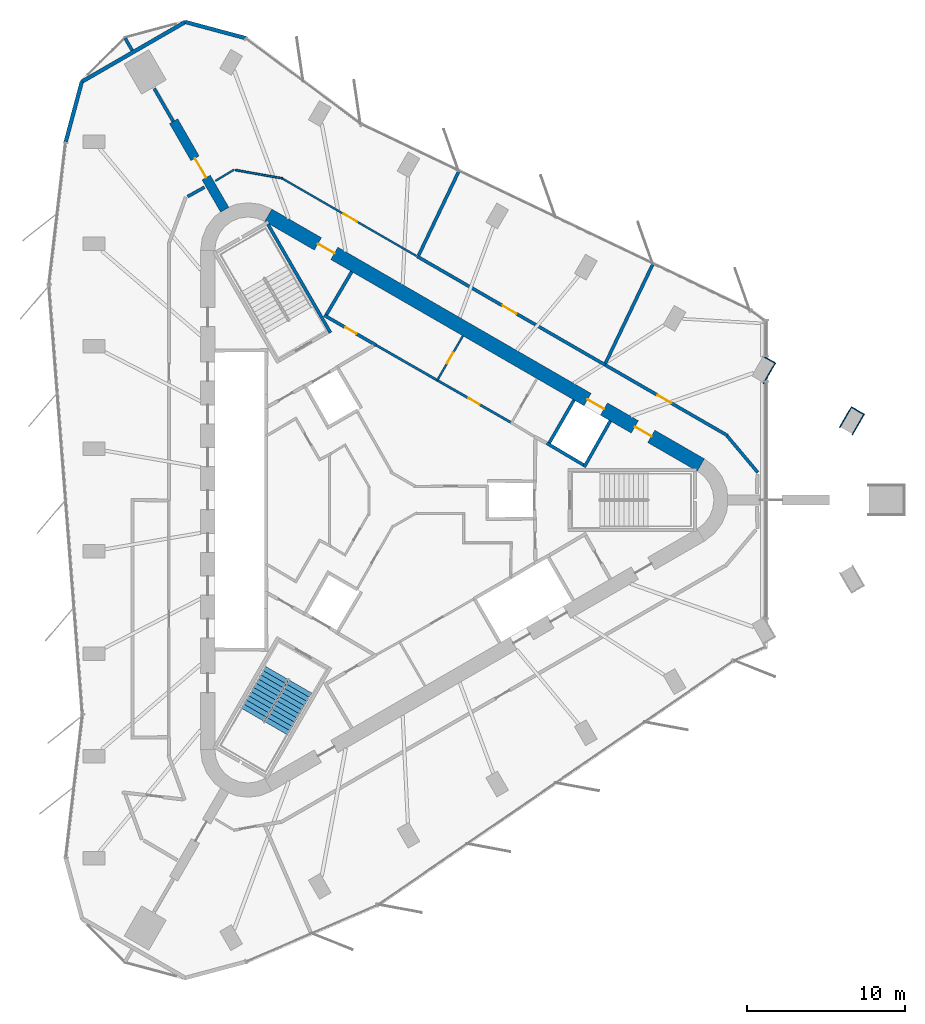
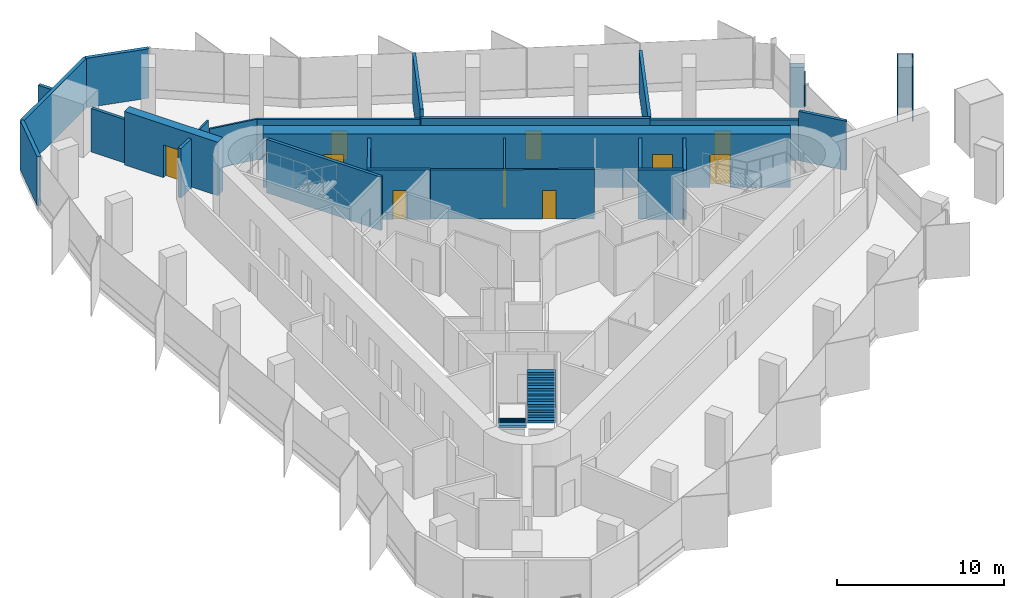
# One storey, part 10 of 12: 29 walls, 10 doors, 2 stair flights, 10 openings, 1 element without a shape of its own.
"""IFC4 building model written with IfcOpenShell, lengths in metres."""

from ifc_helpers import new_model, si_unit, direction, frame, frame_2d, origin, place, context, subcontext, project, spatial, polyline, rectangle, outline, extrude, material, layer, layer_set, type_object, element, fill, aggregate, save


model = new_model("IFC4")

# Units and contexts
model_context = context("Model", 3, precision=1e-05, world=origin(), true_north=direction((0.0, 1.0)))
body_context = subcontext(model_context, "Body", "Model", "MODEL_VIEW")
ifc_project = project(units=[si_unit("LENGTHUNIT", "METRE"), si_unit("AREAUNIT", "SQUARE_METRE"), si_unit("VOLUMEUNIT", "CUBIC_METRE"), si_unit("PLANEANGLEUNIT", "RADIAN"), si_unit("MASSUNIT", "GRAM", prefix="KILO")], contexts=[model_context])

# Site, building, storey
site_placement = place(None, origin())
site = spatial("IfcSite", under=ifc_project, at=site_placement, CompositionType="ELEMENT")
building_placement = place(site_placement, origin())
building = spatial("IfcBuilding", under=site, at=building_placement, Name="Tanit Gate Tower", CompositionType="ELEMENT")
storey_placement = place(building_placement, frame((0.0, 0.0, 384.5)))
storey = spatial("IfcBuildingStorey", under=building, at=storey_placement, Name="L88", CompositionType="ELEMENT", Elevation=384.5)

# Wall, opening, door
ifc_material_1 = material(Name="Concrete C40/50", Category="concrete")
ifc_layer_1 = layer(ifc_material_1, 0.60009765625)
ifc_layer_set_1 = layer_set([ifc_layer_1], Name="BUTTRESS FIN 600 C40/50")
wall_type_1 = type_object("IfcWallType", Name="BUTTRESS FIN 600 C40/50", PredefinedType="SHEAR", material=ifc_layer_set_1)
wall_1_placement = place(storey_placement, frame((-10.574951171875, 18.31640625, 0.0), z_axis=(0.0, 0.0, 1.0), x_axis=(-0.500011655475, 0.866018674388, 0.0)))
wall_1 = element("IfcWall", 1, at=wall_1_placement, inside=storey, type_object=wall_type_1, Name="BUTTRESS FIN", PredefinedType="SHEAR", context=body_context, shape_type="SweptSolid", body=[
    extrude(rectangle(XDim=6.454833984375, YDim=0.60009765625, at=frame_2d((3.2275390625, 0.0))), origin(), (0.0, 0.0, 1.0), 3.89990234375),
])
opening_1_placement = place(wall_1_placement, frame((2.35009765625, 0.0, 0.0)))
opening_1 = element("IfcOpeningElement", 2, at=opening_1_placement, cuts=wall_1, Name="Opening P14-88-F-NW-1", PredefinedType="OPENING", context=body_context, shape_type="SweptSolid", body=[
    extrude(rectangle(XDim=1.39990234375, YDim=2.39990234375, at=frame_2d((0.699951171875, 1.199951171875))), frame((0.0, 0.31005859375, 0.0), z_axis=(0.0, -1.0, 0.0), x_axis=(1.0, 0.0, 0.0)), (0.0, 0.0, 1.0), 0.6201171875),
])
ifc_material_2 = material(Name="Timber door leaf", Category="wood")
door_type_1 = type_object("IfcDoorType", Name="INT-DOOR-FIN-PAIR-1400", OperationType="NOTDEFINED", PredefinedType="NOTDEFINED", material=ifc_material_2)
door_1_placement = place(opening_1_placement, origin())
door_1 = element("IfcDoor", 3, at=door_1_placement, inside=storey, type_object=door_type_1, Name="Door P14-88-F-NW-1", OperationType="DOUBLE_DOOR_SINGLE_SWING", OverallHeight=2.39990234375, OverallWidth=1.39990234375, PredefinedType="NOTDEFINED", context=body_context, shape_type="SweptSolid", body=[
    extrude(rectangle(XDim=1.39990234375, YDim=2.39990234375, at=frame_2d((0.699951171875, 1.199951171875))), frame((0.0, 0.02490234375, 0.0), z_axis=(0.0, -1.0, 0.0), x_axis=(1.0, 0.0, 0.0)), (0.0, 0.0, 1.0), 0.050048828125),
])
fill(opening_1, door_1)

# Wall, openings, doors
ifc_material_3 = material(Name="Concrete C40/50", Category="concrete")
ifc_layer_2 = layer(ifc_material_3, 0.89990234375)
ifc_layer_set_2 = layer_set([ifc_layer_2], Name="CORE WALL 900 C40/50")
wall_type_2 = type_object("IfcWallType", Name="CORE WALL 900 C40/50", PredefinedType="SHEAR", material=ifc_layer_set_2)
wall_2_placement = place(storey_placement, frame((19.47509765625, 2.20849609375, 0.0), z_axis=(0.0, 0.0, 1.0), x_axis=(-0.866028369851, 0.499994862586, 0.0)))
wall_2 = element("IfcWall", 4, at=wall_2_placement, inside=storey, type_object=wall_type_2, Name="CORE WALL", PredefinedType="SHEAR", context=body_context, shape_type="SweptSolid", body=[
    extrude(rectangle(XDim=31.523193359375, YDim=0.89990234375, at=frame_2d((15.76171875, 0.0))), origin(), (0.0, 0.0, 1.0), 3.89990234375),
])
opening_2_placement = place(wall_2_placement, frame((7.0615234375, 0.0, 0.0)))
opening_2 = element("IfcOpeningElement", 5, at=opening_2_placement, cuts=wall_2, Name="Opening LDHL8-88", PredefinedType="OPENING", context=body_context, shape_type="SweptSolid", body=[
    extrude(rectangle(XDim=1.199951171875, YDim=2.39990234375, at=frame_2d((0.60009765625, 1.199951171875))), frame((0.0, 0.4599609375, 0.0), z_axis=(0.0, -1.0, 0.0), x_axis=(1.0, 0.0, 0.0)), (0.0, 0.0, 1.0), 0.919921875),
])
opening_3_placement = place(wall_2_placement, frame((3.611572265625, 0.0, 0.0)))
opening_3 = element("IfcOpeningElement", 6, at=opening_3_placement, cuts=wall_2, Name="Opening F12-88-FL1", PredefinedType="OPENING", context=body_context, shape_type="SweptSolid", body=[
    extrude(rectangle(XDim=1.199951171875, YDim=2.39990234375, at=frame_2d((0.60009765625, 1.199951171875))), frame((0.0, 0.4599609375, 0.0), z_axis=(0.0, -1.0, 0.0), x_axis=(1.0, 0.0, 0.0)), (0.0, 0.0, 1.0), 0.919921875),
])
opening_4_placement = place(wall_2_placement, frame((26.711669921875, 0.0, 0.0)))
opening_4 = element("IfcOpeningElement", 7, at=opening_4_placement, cuts=wall_2, Name="Opening F12-88-S2", PredefinedType="OPENING", context=body_context, shape_type="SweptSolid", body=[
    extrude(rectangle(XDim=1.199951171875, YDim=2.39990234375, at=frame_2d((0.60009765625, 1.199951171875))), frame((0.0, 0.4599609375, 0.0), z_axis=(0.0, -1.0, 0.0), x_axis=(1.0, 0.0, 0.0)), (0.0, 0.0, 1.0), 0.919921875),
])
ifc_material_4 = material(Name="Fire-rated steel door leaf", Category="steel")
door_type_2 = type_object("IfcDoorType", Name="INT-DOOR-FIRE-LOBBY-1200", OperationType="NOTDEFINED", PredefinedType="USERDEFINED", material=ifc_material_4)
door_2_placement = place(opening_3_placement, origin())
door_2 = element("IfcDoor", 8, at=door_2_placement, inside=storey, type_object=door_type_2, Name="Door F12-88-FL1", ObjectType="FIRE DOOR", OperationType="SINGLE_SWING_LEFT", OverallHeight=2.39990234375, OverallWidth=1.199951171875, PredefinedType="USERDEFINED", context=body_context, shape_type="SweptSolid", body=[
    extrude(rectangle(XDim=1.199951171875, YDim=2.39990234375, at=frame_2d((0.60009765625, 1.199951171875))), frame((0.0, 0.02490234375, 0.0), z_axis=(0.0, -1.0, 0.0), x_axis=(1.0, 0.0, 0.0)), (0.0, 0.0, 1.0), 0.050048828125),
])
fill(opening_3, door_2)
door_3_placement = place(opening_4_placement, origin())
door_3 = element("IfcDoor", 9, at=door_3_placement, inside=storey, type_object=door_type_2, Name="Door F12-88-S2", ObjectType="FIRE DOOR", OperationType="SINGLE_SWING_LEFT", OverallHeight=2.39990234375, OverallWidth=1.199951171875, PredefinedType="USERDEFINED", context=body_context, shape_type="SweptSolid", body=[
    extrude(rectangle(XDim=1.199951171875, YDim=2.39990234375, at=frame_2d((0.60009765625, 1.199951171875))), frame((0.0, 0.02490234375, 0.0), z_axis=(0.0, -1.0, 0.0), x_axis=(1.0, 0.0, 0.0)), (0.0, 0.0, 1.0), 0.050048828125),
])
fill(opening_4, door_3)
ifc_material_5 = material(Name="Stainless steel sliding door leaf", Category="steel")
door_type_3 = type_object("IfcDoorType", Name="INT-DOOR-LANDING-1200", OperationType="NOTDEFINED", PredefinedType="USERDEFINED", material=ifc_material_5)
door_4_placement = place(opening_2_placement, origin())
door_4 = element("IfcDoor", 10, at=door_4_placement, inside=storey, type_object=door_type_3, Name="Door LDHL8-88", ObjectType="LANDING DOOR", OperationType="SLIDING_TO_LEFT", OverallHeight=2.39990234375, OverallWidth=1.199951171875, PredefinedType="USERDEFINED", context=body_context, shape_type="SweptSolid", body=[
    extrude(rectangle(XDim=1.199951171875, YDim=2.39990234375, at=frame_2d((0.60009765625, 1.199951171875))), frame((0.0, 0.02490234375, 0.0), z_axis=(0.0, -1.0, 0.0), x_axis=(1.0, 0.0, 0.0)), (0.0, 0.0, 1.0), 0.050048828125),
])
fill(opening_2, door_4)

# Walls
ifc_material_6 = material(Name="Bronze anodised aluminium cladding", Category="aluminium")
ifc_layer_3 = layer(ifc_material_6, 0.06005859375)
ifc_layer_set_3 = layer_set([ifc_layer_3], Name="Column casing bronze 60")
wall_type_3 = type_object("IfcWallType", Name="Column casing bronze 60", PredefinedType="SOLIDWALL", material=ifc_layer_set_3)
for number, where, z_axis, x_axis, name in (
    (11, (28.235595703125, 4.568115234375, 0.0), (0.0, 0.0, 1.0), (0.499991248344, 0.866030456496, 0.0), "Column casing L88 P-NE1.L1"),
    (12, (29.023681640625, 4.11328125, 0.0), (0.0, 0.0, 1.0), (0.499991248344, 0.866030456496, 0.0), "Column casing L88 P-NE1.L2"),
):
    element("IfcWall", number, at=place(storey_placement, frame(where, z_axis=z_axis, x_axis=x_axis)), inside=storey, type_object=wall_type_3, Name=name, PredefinedType="SOLIDWALL", context=body_context, shape_type="SweptSolid", body=[
        extrude(rectangle(XDim=1.52001953125, YDim=0.06005859375, at=frame_2d((0.760009765625, 0.0))), origin(), (0.0, 0.0, 1.0), 3.89990234375),
    ])
wall_3_placement = place(storey_placement, frame((29.74267578125, 5.418701171875, 0.0), z_axis=(0.0, 0.0, 1.0), x_axis=(-0.866113839764, 0.499846793097, 0.0)))
element("IfcWall", 13, at=wall_3_placement, inside=storey, type_object=wall_type_3, Name="Column casing L88 P-NE1.S1", PredefinedType="SOLIDWALL", context=body_context, shape_type="SweptSolid", body=[
    extrude(rectangle(XDim=0.849853515625, YDim=0.06005859375, at=frame_2d((0.4248046875, 0.0))), origin(), (0.0, 0.0, 1.0), 3.89990234375),
])
wall_4_placement = place(storey_placement, frame((23.42578125, 7.34521484375, 1.10009765625), z_axis=(0.0, 0.0, 1.0), x_axis=(0.499991248344, 0.866030456496, 0.0)))
element("IfcWall", 14, at=wall_4_placement, inside=storey, type_object=wall_type_3, Name="Column casing L88 P-NE2.L2", PredefinedType="SOLIDWALL", context=body_context, shape_type="SweptSolid", body=[
    extrude(rectangle(XDim=1.52001953125, YDim=0.06005859375, at=frame_2d((0.760009765625, 0.0))), origin(), (0.0, 0.0, 1.0), 1.510009765625),
])
wall_5_placement = place(storey_placement, frame((24.144775390625, 8.650390625, 0.0), z_axis=(0.0, 0.0, 1.0), x_axis=(-0.865989465428, 0.500062241894, 0.0)))
element("IfcWall", 15, at=wall_5_placement, inside=storey, type_object=wall_type_3, Name="Column casing L88 P-NE2.S1", PredefinedType="SOLIDWALL", context=body_context, shape_type="SweptSolid", body=[
    extrude(rectangle(XDim=0.85009765625, YDim=0.06005859375, at=frame_2d((0.425048828125, 0.0))), origin(), (0.0, 0.0, 1.0), 3.2099609375),
])
ifc_material_7 = material(Name="Concrete C30/37 with bronze anodised aluminium cladding", Category="concrete")
ifc_layer_4 = layer(ifc_material_7, 0.239990234375)
ifc_layer_set_4 = layer_set([ifc_layer_4], Name="Facade wall bronze clad 240")
wall_type_4 = type_object("IfcWallType", Name="Facade wall bronze clad 240", PredefinedType="SOLIDWALL", material=ifc_layer_set_4)
wall_6_placement = place(storey_placement, frame((-9.27880859375, 29.157958984375, 0.0), z_axis=(0.0, 0.0, 1.0), x_axis=(-0.965923842933, 0.258826446974, 0.0)))
element("IfcWall", 16, at=wall_6_placement, inside=storey, type_object=wall_type_4, Name="Bronze-clad facade wall L88 NW.arc1", PredefinedType="SOLIDWALL", context=body_context, shape_type="SweptSolid", body=[
    extrude(rectangle(XDim=3.91650390625, YDim=0.239990234375, at=frame_2d((1.958251953125, 0.0))), origin(), (0.0, 0.0, 1.0), 3.60009765625),
])
wall_7_placement = place(storey_placement, frame((-13.061767578125, 30.171630859375, 0.0), z_axis=(0.0, 0.0, 1.0), x_axis=(-0.86602506914, -0.500000579621, 0.0)))
element("IfcWall", 17, at=wall_7_placement, inside=storey, type_object=wall_type_4, Name="Bronze-clad facade wall L88 NW.arc2", PredefinedType="SOLIDWALL", context=body_context, shape_type="SweptSolid", body=[
    extrude(rectangle(XDim=7.5478515625, YDim=0.239990234375, at=frame_2d((3.77392578125, 0.0))), origin(), (0.0, 0.0, 1.0), 3.60009765625),
])
wall_8_placement = place(storey_placement, frame((-19.598388671875, 26.397705078125, 0.0), z_axis=(0.0, 0.0, 1.0), x_axis=(-0.258826121588, -0.965923930123, 0.0)))
element("IfcWall", 18, at=wall_8_placement, inside=storey, type_object=wall_type_4, Name="Bronze-clad facade wall L88 NW.arc3", PredefinedType="SOLIDWALL", context=body_context, shape_type="SweptSolid", body=[
    extrude(rectangle(XDim=3.9306640625, YDim=0.239990234375, at=frame_2d((1.96533203125, 0.0))), origin(), (0.0, 0.0, 1.0), 3.60009765625),
])

# Wall, opening, door
ifc_material_8 = material(Name="Fire-rated gypsum board partition")
ifc_layer_5 = layer(ifc_material_8, 0.199951171875)
ifc_layer_set_5 = layer_set([ifc_layer_5], Name="INT-WALL-COMPARTMENT")
wall_type_5 = type_object("IfcWallType", Name="INT-WALL-COMPARTMENT", PredefinedType="PARTITIONING", material=ifc_layer_set_5)
wall_9_placement = place(storey_placement, frame((-4.295654296875, 11.659912109375, 0.0), z_axis=(0.0, 0.0, 1.0), x_axis=(0.866027389382, -0.499996560828, 0.0)))
wall_9 = element("IfcWall", 19, at=wall_9_placement, inside=storey, type_object=wall_type_5, Name="Wall Compartment W052", PredefinedType="PARTITIONING", context=body_context, shape_type="SweptSolid", body=[
    extrude(rectangle(XDim=3.77783203125, YDim=0.199951171875, at=frame_2d((1.888916015625, 0.0))), origin(), (0.0, 0.0, 1.0), 3.60009765625),
])
opening_5_placement = place(wall_9_placement, frame((1.538818359375, 0.0, 0.0)))
opening_5 = element("IfcOpeningElement", 20, at=opening_5_placement, cuts=wall_9, Name="Opening R08-88-16", PredefinedType="OPENING", context=body_context, shape_type="SweptSolid", body=[
    extrude(rectangle(XDim=0.800048828125, YDim=2.10009765625, at=frame_2d((0.39990234375, 1.050048828125))), frame((0.0, 0.10986328125, 0.0), z_axis=(0.0, -1.0, 0.0), x_axis=(1.0, 0.0, 0.0)), (0.0, 0.0, 1.0), 0.219970703125),
])
ifc_material_9 = material(Name="Timber door leaf", Category="wood")
door_type_4 = type_object("IfcDoorType", Name="INT-DOOR-RISER-800", OperationType="NOTDEFINED", PredefinedType="USERDEFINED", material=ifc_material_9)
door_5_placement = place(opening_5_placement, origin())
door_5 = element("IfcDoor", 21, at=door_5_placement, inside=storey, type_object=door_type_4, Name="Door R08-88-16", ObjectType="FIRE DOOR", OperationType="SINGLE_SWING_LEFT", OverallHeight=2.10009765625, OverallWidth=0.800048828125, PredefinedType="USERDEFINED", context=body_context, shape_type="SweptSolid", body=[
    extrude(rectangle(XDim=0.800048828125, YDim=2.10009765625, at=frame_2d((0.39990234375, 1.050048828125))), frame((0.0, 0.02490234375, 0.0), z_axis=(0.0, -1.0, 0.0), x_axis=(1.0, 0.0, 0.0)), (0.0, 0.0, 1.0), 0.050048828125),
])
fill(opening_5, door_5)

# Walls
wall_10_placement = place(storey_placement, frame((-2.557861328125, 14.409423828125, 0.0), z_axis=(0.0, 0.0, 1.0), x_axis=(-0.508018930956, -0.861345903683, 0.0)))
element("IfcWall", 22, at=wall_10_placement, inside=storey, type_object=wall_type_5, Name="Wall Compartment W053", PredefinedType="PARTITIONING", context=body_context, shape_type="SweptSolid", body=[
    extrude(rectangle(XDim=3.150146484375, YDim=0.199951171875, at=frame_2d((1.5751953125, 0.0))), origin(), (0.0, 0.0, 1.0), 3.60009765625),
])
wall_11_placement = place(storey_placement, frame((-11.85791015625, 19.738525390625, 0.0), z_axis=(0.0, 0.0, 1.0), x_axis=(-0.874375812865, -0.48524935639, 0.0)))
element("IfcWall", 23, at=wall_11_placement, inside=storey, type_object=wall_type_5, Name="Wall Compartment W094", PredefinedType="PARTITIONING", context=body_context, shape_type="SweptSolid", body=[
    extrude(rectangle(XDim=1.21142578125, YDim=0.199951171875, at=frame_2d((0.605712890625, 0.0))), origin(), (0.0, 0.0, 1.0), 3.60009765625),
])
wall_12_placement = place(storey_placement, frame((-13.828369140625, 23.8916015625, 0.0), z_axis=(0.0, 0.0, 1.0), x_axis=(-0.500037706602, 0.866003632773, 0.0)))
element("IfcWall", 24, at=wall_12_placement, inside=storey, type_object=wall_type_5, Name="Wall Compartment W102", PredefinedType="PARTITIONING", context=body_context, shape_type="SweptSolid", body=[
    extrude(rectangle(XDim=2.390869140625, YDim=0.199951171875, at=frame_2d((1.1953125, 0.0))), origin(), (0.0, 0.0, 1.0), 3.169921875),
])
wall_13_placement = place(storey_placement, frame((-16.416015625, 28.37353515625, 0.0), z_axis=(0.0, 0.0, 1.0), x_axis=(-0.500033502416, 0.866006060292, 0.0)))
element("IfcWall", 25, at=wall_13_placement, inside=storey, type_object=wall_type_5, Name="Wall Compartment W101", PredefinedType="PARTITIONING", context=body_context, shape_type="SweptSolid", body=[
    extrude(rectangle(XDim=0.88330078125, YDim=0.199951171875, at=frame_2d((0.441650390625, 0.0))), origin(), (0.0, 0.0, 1.0), 3.60009765625),
])

# Wall, opening, door
wall_14_placement = place(storey_placement, frame((21.16064453125, 4.064208984375, 0.0), z_axis=(0.0, 0.0, 1.0), x_axis=(-0.866029338347, 0.499993185076, 0.0)))
wall_14 = element("IfcWall", 26, at=wall_14_placement, inside=storey, type_object=wall_type_5, Name="Wall Compartment W105", PredefinedType="PARTITIONING", context=body_context, shape_type="SweptSolid", body=[
    extrude(rectangle(XDim=8.9248046875, YDim=0.199951171875, at=frame_2d((4.46240234375, 0.0))), origin(), (0.0, 0.0, 1.0), 2.969970703125),
])
opening_6_placement = place(wall_14_placement, frame((4.10009765625, 0.0, 0.0)))
opening_6 = element("IfcOpeningElement", 27, at=opening_6_placement, cuts=wall_14, Name="Opening F10-88-23", PredefinedType="OPENING", context=body_context, shape_type="SweptSolid", body=[
    extrude(rectangle(XDim=1.0, YDim=2.10009765625, at=frame_2d((0.5, 1.050048828125))), frame((0.0, 0.10986328125, 0.0), z_axis=(0.0, -1.0, 0.0), x_axis=(1.0, 0.0, 0.0)), (0.0, 0.0, 1.0), 0.219970703125),
])
ifc_material_10 = material(Name="Fire-rated steel door leaf", Category="steel")
door_type_5 = type_object("IfcDoorType", Name="INT-DOOR-FIRE-1000", OperationType="NOTDEFINED", PredefinedType="USERDEFINED", material=ifc_material_10)
door_6_placement = place(opening_6_placement, origin())
door_6 = element("IfcDoor", 28, at=door_6_placement, inside=storey, type_object=door_type_5, Name="Door F10-88-23", ObjectType="FIRE DOOR", OperationType="SINGLE_SWING_LEFT", OverallHeight=2.10009765625, OverallWidth=1.0, PredefinedType="USERDEFINED", context=body_context, shape_type="SweptSolid", body=[
    extrude(rectangle(XDim=1.0, YDim=2.10009765625, at=frame_2d((0.5, 1.050048828125))), frame((0.0, 0.02490234375, 0.0), z_axis=(0.0, -1.0, 0.0), x_axis=(1.0, 0.0, 0.0)), (0.0, 0.0, 1.0), 0.050048828125),
])
fill(opening_6, door_6)

wall_15_placement = place(storey_placement, frame((13.431396484375, 8.526611328125, 0.0), z_axis=(0.0, 0.0, 1.0), x_axis=(-0.866019409031, 0.500010383074, 0.0)))
wall_15 = element("IfcWall", 29, at=wall_15_placement, inside=storey, type_object=wall_type_5, Name="Wall Compartment W108", PredefinedType="PARTITIONING", context=body_context, shape_type="SweptSolid", body=[
    extrude(rectangle(XDim=13.700927734375, YDim=0.199951171875, at=frame_2d((6.8505859375, 0.0))), origin(), (0.0, 0.0, 1.0), 3.070068359375),
])
opening_7_placement = place(wall_15_placement, frame((6.456298828125, 0.0, 0.0)))
opening_7 = element("IfcOpeningElement", 30, at=opening_7_placement, cuts=wall_15, Name="Opening F10-88-24", PredefinedType="OPENING", context=body_context, shape_type="SweptSolid", body=[
    extrude(rectangle(XDim=1.0, YDim=2.10009765625, at=frame_2d((0.5, 1.050048828125))), frame((0.0, 0.10986328125, 0.0), z_axis=(0.0, -1.0, 0.0), x_axis=(1.0, 0.0, 0.0)), (0.0, 0.0, 1.0), 0.219970703125),
])
door_7_placement = place(opening_7_placement, origin())
door_7 = element("IfcDoor", 31, at=door_7_placement, inside=storey, type_object=door_type_5, Name="Door F10-88-24", ObjectType="FIRE DOOR", OperationType="SINGLE_SWING_LEFT", OverallHeight=2.10009765625, OverallWidth=1.0, PredefinedType="USERDEFINED", context=body_context, shape_type="SweptSolid", body=[
    extrude(rectangle(XDim=1.0, YDim=2.10009765625, at=frame_2d((0.5, 1.050048828125))), frame((0.0, 0.02490234375, 0.0), z_axis=(0.0, -1.0, 0.0), x_axis=(1.0, 0.0, 0.0)), (0.0, 0.0, 1.0), 0.050048828125),
])
fill(opening_7, door_7)

# Walls
wall_16_placement = place(storey_placement, frame((23.0703125, 1.7353515625, 0.0), z_axis=(0.0, 0.0, 1.0), x_axis=(-0.642801456619, 0.76603282395, 0.0)))
element("IfcWall", 32, at=wall_16_placement, inside=storey, type_object=wall_type_5, Name="Wall Compartment W106", PredefinedType="PARTITIONING", context=body_context, shape_type="SweptSolid", body=[
    extrude(rectangle(XDim=3.00537109375, YDim=0.199951171875, at=frame_2d((1.502685546875, 0.0))), origin(), (0.0, 0.0, 1.0), 3.60009765625),
])
wall_17_placement = place(storey_placement, frame((13.453857421875, 8.629150390625, 0.0), z_axis=(0.0, 0.0, 1.0), x_axis=(0.431088346121, 0.902309723897, 0.0)))
element("IfcWall", 33, at=wall_17_placement, inside=storey, type_object=wall_type_5, Name="Wall Compartment W112", PredefinedType="PARTITIONING", context=body_context, shape_type="SweptSolid", body=[
    extrude(rectangle(XDim=6.96533203125, YDim=0.199951171875, at=frame_2d((3.482666015625, 0.0))), origin(), (0.0, 0.0, 1.0), 3.070068359375),
])
wall_18_placement = place(storey_placement, frame((1.661376953125, 15.4375, 0.0), z_axis=(0.0, 0.0, 1.0), x_axis=(0.431067801422, 0.902319539065, 0.0)))
element("IfcWall", 34, at=wall_18_placement, inside=storey, type_object=wall_type_5, Name="Wall Compartment W113", PredefinedType="PARTITIONING", context=body_context, shape_type="SweptSolid", body=[
    extrude(rectangle(XDim=5.905517578125, YDim=0.199951171875, at=frame_2d((2.95263671875, 0.0))), origin(), (0.0, 0.0, 1.0), 3.60009765625),
])

# Wall, opening, door
ifc_material_11 = material(Name="Gypsum board partition")
ifc_layer_6 = layer(ifc_material_11, 0.1201171875)
ifc_layer_set_6 = layer_set([ifc_layer_6], Name="INT-WALL-PARTITION")
wall_type_6 = type_object("IfcWallType", Name="INT-WALL-PARTITION", PredefinedType="PARTITIONING", material=ifc_layer_set_6)
wall_19_placement = place(storey_placement, frame((2.831787109375, 7.544921875, 0.0), z_axis=(0.0, 0.0, 1.0), x_axis=(0.500017246033, 0.866015446554, 0.0)))
wall_19 = element("IfcWall", 35, at=wall_19_placement, inside=storey, type_object=wall_type_6, Name="Wall Partition W050", PredefinedType="PARTITIONING", context=body_context, shape_type="SweptSolid", body=[
    extrude(rectangle(XDim=3.25, YDim=0.1201171875, at=frame_2d((1.625, 0.0))), origin(), (0.0, 0.0, 1.0), 3.60009765625),
])
opening_8_placement = place(wall_19_placement, frame((1.22509765625, 0.0, 0.0)))
opening_8 = element("IfcOpeningElement", 36, at=opening_8_placement, cuts=wall_19, Name="Opening R08-88-15", PredefinedType="OPENING", context=body_context, shape_type="SweptSolid", body=[
    extrude(rectangle(XDim=0.800048828125, YDim=2.10009765625, at=frame_2d((0.39990234375, 1.050048828125))), frame((0.0, 0.070068359375, 0.0), z_axis=(0.0, -1.0, 0.0), x_axis=(1.0, 0.0, 0.0)), (0.0, 0.0, 1.0), 0.14013671875),
])
door_8_placement = place(opening_8_placement, origin())
door_8 = element("IfcDoor", 37, at=door_8_placement, inside=storey, type_object=door_type_4, Name="Door R08-88-15", ObjectType="FIRE DOOR", OperationType="SINGLE_SWING_LEFT", OverallHeight=2.10009765625, OverallWidth=0.800048828125, PredefinedType="USERDEFINED", context=body_context, shape_type="SweptSolid", body=[
    extrude(rectangle(XDim=0.800048828125, YDim=2.10009765625, at=frame_2d((0.39990234375, 1.050048828125))), frame((0.0, 0.02490234375, 0.0), z_axis=(0.0, -1.0, 0.0), x_axis=(1.0, 0.0, 0.0)), (0.0, 0.0, 1.0), 0.050048828125),
])
fill(opening_8, door_8)

# Walls
wall_20_placement = place(storey_placement, frame((-9.976318359375, 20.85205078125, 0.0), z_axis=(0.0, 0.0, 1.0), x_axis=(-0.857368603838, -0.514702901831, 0.0)))
element("IfcWall", 38, at=wall_20_placement, inside=storey, type_object=wall_type_6, Name="Wall Partition W109", PredefinedType="PARTITIONING", context=body_context, shape_type="SweptSolid", body=[
    extrude(rectangle(XDim=1.386474609375, YDim=0.1201171875, at=frame_2d((0.693359375, 0.0))), origin(), (0.0, 0.0, 1.0), 3.60009765625),
])
wall_21_placement = place(storey_placement, frame((-6.9150390625, 20.29736328125, 0.0), z_axis=(0.0, 0.0, 1.0), x_axis=(-0.984805404408, 0.173661496736, 0.0)))
element("IfcWall", 39, at=wall_21_placement, inside=storey, type_object=wall_type_6, Name="Wall Partition W110", PredefinedType="PARTITIONING", context=body_context, shape_type="SweptSolid", body=[
    extrude(rectangle(XDim=3.03662109375, YDim=0.1201171875, at=frame_2d((1.518310546875, 0.0))), origin(), (0.0, 0.0, 1.0), 2.969970703125),
])

# Wall, opening, door
wall_22_placement = place(storey_placement, frame((1.53125, 15.397216796875, 0.0), z_axis=(0.0, 0.0, 1.0), x_axis=(-0.866022729456, 0.500004632045, 0.0)))
wall_22 = element("IfcWall", 40, at=wall_22_placement, inside=storey, type_object=wall_type_6, Name="Wall Partition W111", PredefinedType="PARTITIONING", context=body_context, shape_type="SweptSolid", body=[
    extrude(rectangle(XDim=9.76123046875, YDim=0.1201171875, at=frame_2d((4.880615234375, 0.0))), origin(), (0.0, 0.0, 1.0), 2.969970703125),
])
opening_9_placement = place(wall_22_placement, frame((4.33203125, 0.0, 0.0)))
opening_9 = element("IfcOpeningElement", 41, at=opening_9_placement, cuts=wall_22, Name="Opening D10-88-25", PredefinedType="OPENING", context=body_context, shape_type="SweptSolid", body=[
    extrude(rectangle(XDim=1.0, YDim=2.10009765625, at=frame_2d((0.5, 1.050048828125))), frame((0.0, 0.070068359375, 0.0), z_axis=(0.0, -1.0, 0.0), x_axis=(1.0, 0.0, 0.0)), (0.0, 0.0, 1.0), 0.14013671875),
])
ifc_material_12 = material(Name="Timber door leaf", Category="wood")
door_type_6 = type_object("IfcDoorType", Name="INT-DOOR-SINGLE-1000", OperationType="NOTDEFINED", PredefinedType="NOTDEFINED", material=ifc_material_12)
door_9_placement = place(opening_9_placement, origin())
door_9 = element("IfcDoor", 42, at=door_9_placement, inside=storey, type_object=door_type_6, Name="Door D10-88-25", OperationType="SINGLE_SWING_LEFT", OverallHeight=2.10009765625, OverallWidth=1.0, PredefinedType="NOTDEFINED", context=body_context, shape_type="SweptSolid", body=[
    extrude(rectangle(XDim=1.0, YDim=2.10009765625, at=frame_2d((0.5, 1.050048828125))), frame((0.0, 0.02490234375, 0.0), z_axis=(0.0, -1.0, 0.0), x_axis=(1.0, 0.0, 0.0)), (0.0, 0.0, 1.0), 0.050048828125),
])
fill(opening_9, door_9)

ifc_material_13 = material(Name="Fire-rated gypsum board partition")
ifc_layer_7 = layer(ifc_material_13, 0.14990234375)
ifc_layer_set_7 = layer_set([ifc_layer_7], Name="INT-WALL-RISER")
wall_type_7 = type_object("IfcWallType", Name="INT-WALL-RISER", PredefinedType="PLUMBINGWALL", material=ifc_layer_set_7)
wall_23_placement = place(storey_placement, frame((7.497314453125, 4.885986328125, 0.0), z_axis=(0.0, 0.0, 1.0), x_axis=(-0.867541725638, 0.497364407931, 0.0)))
wall_23 = element("IfcWall", 43, at=wall_23_placement, inside=storey, type_object=wall_type_7, Name="Wall Riser W051", PredefinedType="PLUMBINGWALL", context=body_context, shape_type="SweptSolid", body=[
    extrude(rectangle(XDim=9.822265625, YDim=0.14990234375, at=frame_2d((4.9111328125, 0.0))), origin(), (0.0, 0.0, 1.0), 3.60009765625),
])
opening_10_placement = place(wall_23_placement, frame((2.300048828125, 0.0, 0.0)))
opening_10 = element("IfcOpeningElement", 44, at=opening_10_placement, cuts=wall_23, Name="Opening R08-88-20", PredefinedType="OPENING", context=body_context, shape_type="SweptSolid", body=[
    extrude(rectangle(XDim=0.800048828125, YDim=2.10009765625, at=frame_2d((0.39990234375, 1.050048828125))), frame((0.0, 0.0849609375, 0.0), z_axis=(0.0, -1.0, 0.0), x_axis=(1.0, 0.0, 0.0)), (0.0, 0.0, 1.0), 0.169921875),
])
door_10_placement = place(opening_10_placement, origin())
door_10 = element("IfcDoor", 45, at=door_10_placement, inside=storey, type_object=door_type_4, Name="Door R08-88-20", ObjectType="FIRE DOOR", OperationType="SINGLE_SWING_RIGHT", OverallHeight=2.10009765625, OverallWidth=0.800048828125, PredefinedType="USERDEFINED", context=body_context, shape_type="SweptSolid", body=[
    extrude(rectangle(XDim=0.800048828125, YDim=2.10009765625, at=frame_2d((0.39990234375, 1.050048828125))), frame((0.0, 0.02490234375, 0.0), z_axis=(0.0, -1.0, 0.0), x_axis=(1.0, 0.0, 0.0)), (0.0, 0.0, 1.0), 0.050048828125),
])
fill(opening_10, door_10)

# Walls
ifc_material_14 = material(Name="Gypsum shaft wall system")
ifc_layer_8 = layer(ifc_material_14, 0.199951171875)
ifc_layer_set_8 = layer_set([ifc_layer_8], Name="INT-WALL-SHAFT")
wall_type_8 = type_object("IfcWallType", Name="INT-WALL-SHAFT", PredefinedType="PLUMBINGWALL", material=ifc_layer_set_8)
wall_24_placement = place(storey_placement, frame((9.8466796875, 3.494873046875, 0.0), z_axis=(0.0, 0.0, 1.0), x_axis=(0.499984717929, 0.866034226713, 0.0)))
element("IfcWall", 46, at=wall_24_placement, inside=storey, type_object=wall_type_8, Name="Wall Shaft W012", PredefinedType="PLUMBINGWALL", context=body_context, shape_type="SweptSolid", body=[
    extrude(rectangle(XDim=3.25, YDim=0.199951171875, at=frame_2d((1.625, 0.0))), origin(), (0.0, 0.0, 1.0), 3.60009765625),
])
wall_25_placement = place(storey_placement, frame((12.10986328125, 2.07275390625, 0.0), z_axis=(0.0, 0.0, 1.0), x_axis=(0.49196600604, 0.870614408852, 0.0)))
element("IfcWall", 47, at=wall_25_placement, inside=storey, type_object=wall_type_8, Name="Wall Shaft W013", PredefinedType="PLUMBINGWALL", context=body_context, shape_type="SweptSolid", body=[
    extrude(rectangle(XDim=3.35009765625, YDim=0.199951171875, at=frame_2d((1.675048828125, 0.0))), origin(), (0.0, 0.0, 1.0), 3.60009765625),
])
wall_26_placement = place(storey_placement, frame((12.072998046875, 2.2109375, 0.0), z_axis=(0.0, 0.0, 1.0), x_axis=(-0.860414880418, 0.509594185166, 0.0)))
element("IfcWall", 48, at=wall_26_placement, inside=storey, type_object=wall_type_8, Name="Wall Shaft W014", PredefinedType="PLUMBINGWALL", context=body_context, shape_type="SweptSolid", body=[
    extrude(rectangle(XDim=2.7001953125, YDim=0.199951171875, at=frame_2d((1.35009765625, 0.0))), origin(), (0.0, 0.0, 1.0), 3.60009765625),
])
ifc_material_15 = material(Name="Concrete C40/50", Category="concrete")
ifc_layer_9 = layer(ifc_material_15, 0.199951171875)
ifc_layer_set_9 = layer_set([ifc_layer_9], Name="INT-WALL-STAIR")
wall_type_9 = type_object("IfcWallType", Name="INT-WALL-STAIR", PredefinedType="SHEAR", material=ifc_layer_set_9)
wall_27_placement = place(storey_placement, frame((-7.8544921875, 17.404541015625, -0.300048828125), z_axis=(0.0, 0.0, 1.0), x_axis=(0.499997992926, -0.866026562566, 0.0)))
element("IfcWall", 49, at=wall_27_placement, inside=storey, type_object=wall_type_9, Name="Wall Stair W032", PredefinedType="SHEAR", context=body_context, shape_type="SweptSolid", body=[
    extrude(rectangle(XDim=7.89990234375, YDim=0.199951171875, at=frame_2d((3.949951171875, 0.0))), origin(), (0.0, 0.0, 1.0), 3.900146484375),
])

# Stair, stair flights
ifc_material_16 = material(Name="Concrete C40/50", Category="concrete")
stair_type = type_object("IfcStairType", Name="INT-STAIR-EXIT", PredefinedType="HALF_TURN_STAIR", material=ifc_material_16)
stair_placement = place(storey_placement, origin())
stair = element("IfcStair", 50, at=stair_placement, inside=storey, type_object=stair_type, Name="L88 STAIR S3", PredefinedType="HALF_TURN_STAIR")
ifc_material_17 = material(Name="Concrete C40/50", Category="concrete")
stair_flight_type = type_object("IfcStairFlightType", Name="INT-STAIR-FLIGHT", PredefinedType="STRAIGHT", material=ifc_material_17)
stair_flight_1_placement = place(storey_placement, frame((-7.285888671875, -10.914306640625, 0.0), z_axis=(0.0, 0.0, 1.0), x_axis=(-0.5, -0.866025403784, 0.0)))
stair_flight_1 = element("IfcStairFlight", 51, at=stair_flight_1_placement, type_object=stair_flight_type, Name="S3 flight 1", NumberOfRisers=11, NumberOfTreads=10, PredefinedType="STRAIGHT", RiserHeight=0.177272727, TreadLength=0.3051, context=body_context, shape_type="SweptSolid", body=[
    extrude(outline(polyline([(0.0, 0.0), (0.0, 0.17724609375), (0.30517578125, 0.17724609375), (0.30517578125, 0.3544921875), (0.610107421875, 0.3544921875), (0.610107421875, 0.53173828125), (0.915283203125, 0.53173828125), (0.915283203125, 0.708984375), (1.220458984375, 0.708984375), (1.220458984375, 0.886474609375), (1.525390625, 0.886474609375), (1.525390625, 1.063720703125), (1.83056640625, 1.063720703125), (1.83056640625, 1.240966796875), (2.1357421875, 1.240966796875), (2.1357421875, 1.418212890625), (2.44091796875, 1.418212890625), (2.44091796875, 1.595458984375), (2.745849609375, 1.595458984375), (2.745849609375, 1.772705078125), (3.051025390625, 1.772705078125), (3.051025390625, 1.949951171875), (3.051025390625, 1.599365234375), (0.29833984375, 0.0), (0.0, 0.0)])), frame((0.0, 0.84765625, 0.0), z_axis=(0.0, -1.0, 0.0), x_axis=(1.0, 0.0, 0.0)), (0.0, 0.0, 1.0), 1.695068359375),
])
stair_flight_2_placement = place(storey_placement, frame((-7.334716796875, -14.4091796875, 1.949951171875), z_axis=(0.0, 0.0, 1.0), x_axis=(0.5, 0.866025403784, 0.0)))
stair_flight_2 = element("IfcStairFlight", 52, at=stair_flight_2_placement, type_object=stair_flight_type, Name="S3 flight 2", NumberOfRisers=11, NumberOfTreads=10, PredefinedType="STRAIGHT", RiserHeight=0.177272727, TreadLength=0.3051, context=body_context, shape_type="SweptSolid", body=[
    extrude(outline(polyline([(0.0, 0.0), (0.0, 0.17724609375), (0.30517578125, 0.17724609375), (0.30517578125, 0.3544921875), (0.610107421875, 0.3544921875), (0.610107421875, 0.53173828125), (0.915283203125, 0.53173828125), (0.915283203125, 0.708984375), (1.220458984375, 0.708984375), (1.220458984375, 0.886474609375), (1.525390625, 0.886474609375), (1.525390625, 1.063720703125), (1.83056640625, 1.063720703125), (1.83056640625, 1.240966796875), (2.1357421875, 1.240966796875), (2.1357421875, 1.418212890625), (2.44091796875, 1.418212890625), (2.44091796875, 1.595458984375), (2.745849609375, 1.595458984375), (2.745849609375, 1.772705078125), (3.051025390625, 1.772705078125), (3.051025390625, 1.949951171875), (3.051025390625, 1.599365234375), (0.29833984375, 0.0), (0.0, 0.0)])), frame((0.0, 0.84765625, 0.0), z_axis=(0.0, -1.0, 0.0), x_axis=(1.0, 0.0, 0.0)), (0.0, 0.0, 1.0), 1.695068359375),
])
aggregate(stair, [stair_flight_1, stair_flight_2])

save(model, "model.ifc")
